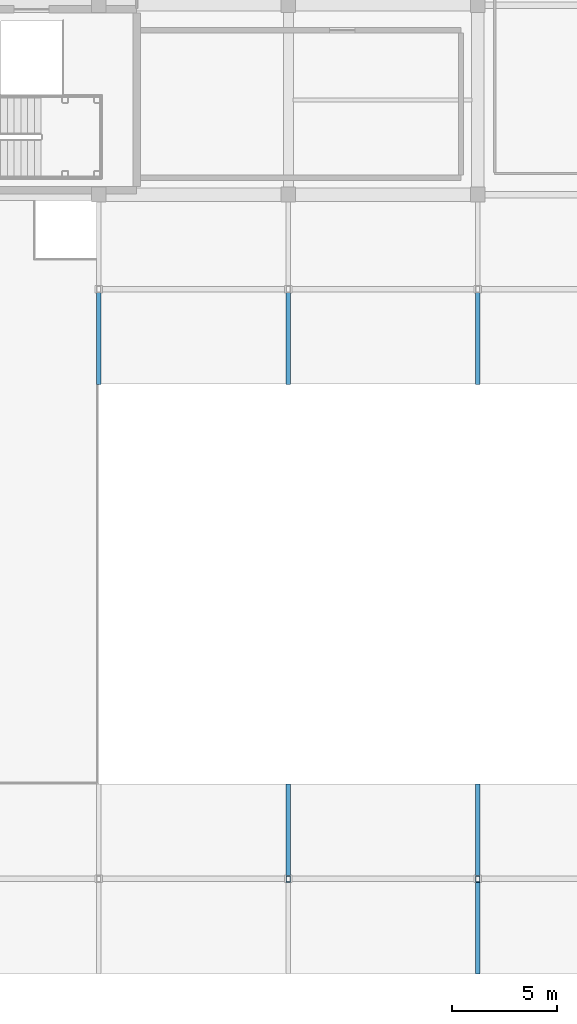
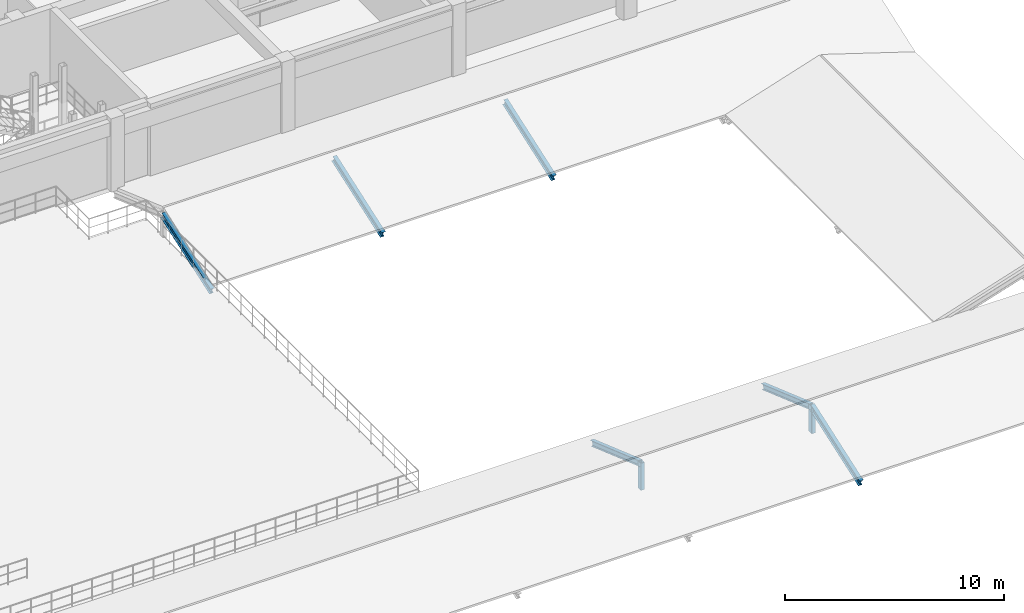
# One storey, part 41 of 110: 8 members.
"""IFC4 building model written with IfcOpenShell, lengths in metres."""

from ifc_helpers import new_model, si_unit, direction, frame, origin, origin_2d, place, context, subcontext, project, spatial, hollow_rectangle, i_section, extrude, material, material_profile, profile_set, type_object, element, save


model = new_model("IFC4")

# Units and contexts
model_context = context("Model", 3, precision=1e-05, world=origin(), true_north=direction((0.0, 1.0)))
body_context = subcontext(model_context, "Body", "Model", "MODEL_VIEW")
ifc_project = project(units=[si_unit("LENGTHUNIT", "METRE"), si_unit("AREAUNIT", "SQUARE_METRE"), si_unit("VOLUMEUNIT", "CUBIC_METRE"), si_unit("PLANEANGLEUNIT", "RADIAN"), si_unit("MASSUNIT", "GRAM", prefix="KILO")], contexts=[model_context])

# Site, building, storey
site_placement = place(None, origin())
site = spatial("IfcSite", under=ifc_project, at=site_placement, CompositionType="ELEMENT")
building_placement = place(site_placement, origin())
building = spatial("IfcBuilding", under=site, at=building_placement, Name="Miravela Opera House", CompositionType="ELEMENT")
storey_placement = place(building_placement, frame((0.0, 0.0, 13.60009765625)))
storey = spatial("IfcBuildingStorey", under=building, at=storey_placement, Name="L03", CompositionType="ELEMENT", Elevation=13.60009765625)

# Members
ifc_material_1 = material(Name="Hollow structural steel ASTM A500 Gr. C", Category="steel")
ifc_material_profile_1 = material_profile(ifc_material_1, hollow_rectangle(XDim=0.199951171875, YDim=0.300048828125, WallThickness=0.011962890625, InnerFilletRadius=0.011962890625, OuterFilletRadius=0.02392578125, at=origin_2d()), Name="HSS300X200X12")
ifc_profile_set_1 = profile_set([ifc_material_profile_1])
member_type_1 = type_object("IfcMemberType", Name="STR-MEM-POST-HSS300X200", PredefinedType="POST", material=ifc_profile_set_1)
for number, where, z_axis, x_axis, name in (
    (1, (126.0, 4.5, -0.25), (0.0, 0.0, 1.0), (1.0, 0.0, 0.0), "Roof Ridge Support Post ROOF-V4-SE M4"),
    (2, (135.0, 4.5, -0.25), (0.0, 0.0, 1.0), (1.0, 0.0, 0.0), "Roof Ridge Support Post ROOF-V4-SE M5"),
):
    element("IfcMember", number, at=place(storey_placement, frame(where, z_axis=z_axis, x_axis=x_axis)), inside=storey, type_object=member_type_1, Name=name, PredefinedType="POST", context=body_context, shape_type="SweptSolid", body=[
        extrude(hollow_rectangle(XDim=0.199951171875, YDim=0.300048828125, WallThickness=0.011962890625, InnerFilletRadius=0.011962890625, OuterFilletRadius=0.02392578125, at=origin_2d()), origin(), (0.0, 0.0, 1.0), 1.510009765625),
    ])
ifc_material_2 = material(Name="Structural steel ASTM A992 Gr. 50", Category="steel")
ifc_material_profile_2 = material_profile(ifc_material_2, i_section(OverallWidth=0.2041015625, OverallDepth=0.35009765625, WebThickness=0.008544921875, FlangeThickness=0.01513671875, FilletRadius=0.013916015625, at=origin_2d()), Name="W360X72")
ifc_profile_set_2 = profile_set([ifc_material_profile_2])
member_type_2 = type_object("IfcMemberType", Name="STR-MEM-RAFTER-1", PredefinedType="RAFTER", material=ifc_profile_set_2)
for number, where, z_axis, x_axis, name in (
    (3, (135.0, 0.050048828125, -0.400146484375), (0.0, 0.943687918104, 0.3308369889), (-1.0, 0.0, 0.0), "Pitched Roof Rafter ROOF-V4-SE S5"),
    (4, (117.0, 28.050048828125, -0.400146484375), (0.0, 0.943687918104, 0.3308369889), (-1.0, 0.0, 0.0), "Pitched Roof Rafter ROOF-V4-NE S0"),
    (5, (126.0, 28.050048828125, -0.400146484375), (0.0, 0.943687918104, 0.3308369889), (-1.0, 0.0, 0.0), "Pitched Roof Rafter ROOF-V4-NE S1"),
    (6, (135.0, 28.050048828125, -0.400146484375), (0.0, 0.943687918104, 0.3308369889), (-1.0, 0.0, 0.0), "Pitched Roof Rafter ROOF-V4-NE S2"),
):
    element("IfcMember", number, at=place(storey_placement, frame(where, z_axis=z_axis, x_axis=x_axis)), inside=storey, type_object=member_type_2, Name=name, PredefinedType="RAFTER", context=body_context, shape_type="SweptSolid", body=[
        extrude(i_section(OverallWidth=0.2041015625, OverallDepth=0.35009765625, WebThickness=0.008544921875, FlangeThickness=0.01513671875, FilletRadius=0.013916015625, at=origin_2d()), origin(), (0.0, 0.0, 1.0), 4.715576171875),
    ])
ifc_material_profile_3 = material_profile(ifc_material_2, i_section(OverallWidth=0.202880859375, OverallDepth=0.302978515625, WebThickness=0.007568359375, FlangeThickness=0.01318359375, FilletRadius=0.012939453125, at=origin_2d()), Name="W310X60")
ifc_profile_set_3 = profile_set([ifc_material_profile_3])
member_type_3 = type_object("IfcMemberType", Name="STR-MEM-RAFTER-2", PredefinedType="RAFTER", material=ifc_profile_set_3)
for number, where, z_axis, x_axis, name in (
    (7, (126.0, 8.949951171875, -0.400146484375), (0.0, -0.943687918104, 0.3308369889), (1.0, 0.0, 0.0), "Pitched Roof Rafter ROOF-V4-SE N4"),
    (8, (135.0, 8.949951171875, -0.400146484375), (0.0, -0.943687918104, 0.3308369889), (1.0, 0.0, 0.0), "Pitched Roof Rafter ROOF-V4-SE N5"),
):
    element("IfcMember", number, at=place(storey_placement, frame(where, z_axis=z_axis, x_axis=x_axis)), inside=storey, type_object=member_type_3, Name=name, PredefinedType="RAFTER", context=body_context, shape_type="SweptSolid", body=[
        extrude(i_section(OverallWidth=0.202880859375, OverallDepth=0.302978515625, WebThickness=0.007568359375, FlangeThickness=0.01318359375, FilletRadius=0.012939453125, at=origin_2d()), origin(), (0.0, 0.0, 1.0), 4.715576171875),
    ])

save(model, "model.ifc")
